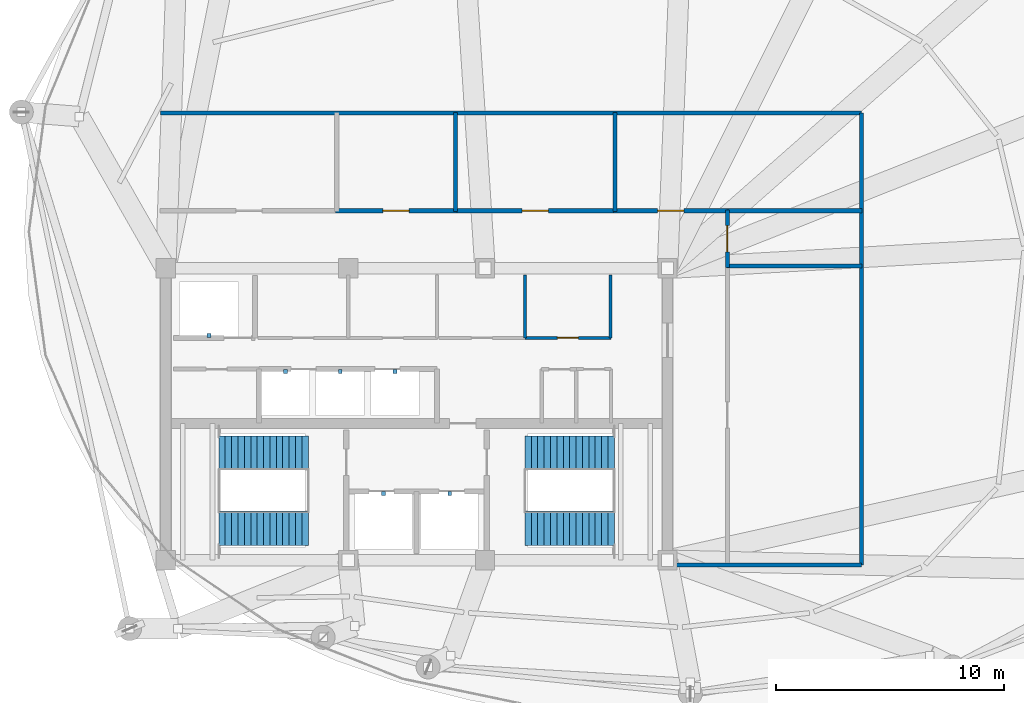
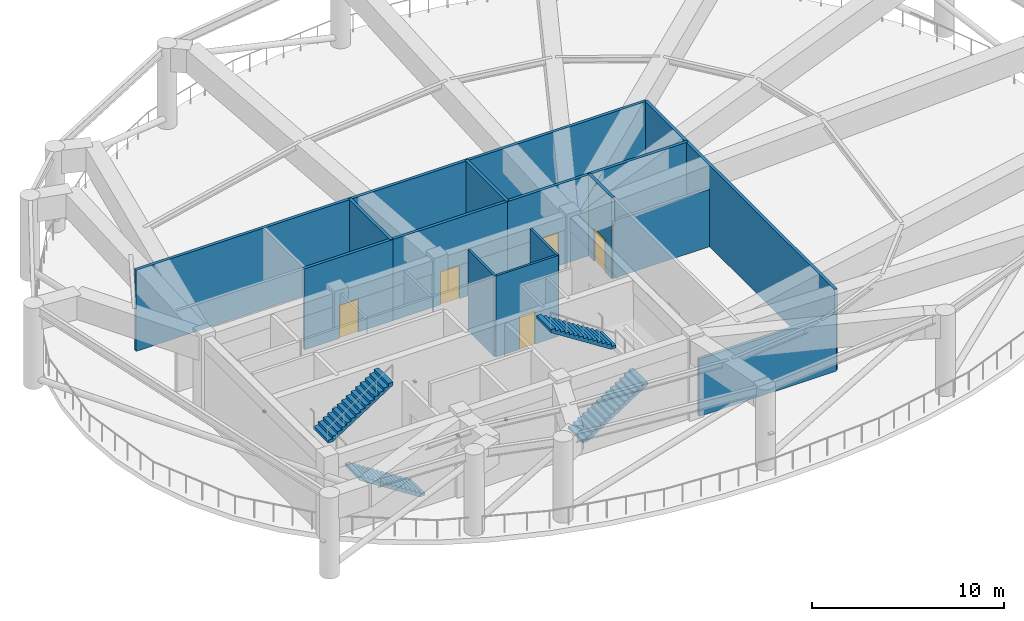
# One storey, part 7 of 9: 14 walls, 6 discrete accessories, 5 doors, 4 stair flights, 5 openings, 2 elements without a shape of their own.
"""IFC4 building model written with IfcOpenShell, lengths in metres."""

from ifc_helpers import new_model, si_unit, direction, frame, frame_2d, origin, origin_2d, place, context, subcontext, project, spatial, polyline, rectangle, outline, extrude, material, layer, layer_set, type_object, element, fill, aggregate, save


model = new_model("IFC4")

# Units and contexts
model_context = context("Model", 3, precision=1e-05, world=origin(), true_north=direction((0.0, 1.0)))
body_context = subcontext(model_context, "Body", "Model", "MODEL_VIEW")
ifc_project = project(units=[si_unit("LENGTHUNIT", "METRE"), si_unit("AREAUNIT", "SQUARE_METRE"), si_unit("VOLUMEUNIT", "CUBIC_METRE"), si_unit("PLANEANGLEUNIT", "RADIAN"), si_unit("MASSUNIT", "GRAM", prefix="KILO")], contexts=[model_context])

# Site, building, storey
site_placement = place(None, origin())
site = spatial("IfcSite", under=ifc_project, at=site_placement, CompositionType="ELEMENT")
building_placement = place(site_placement, origin())
building = spatial("IfcBuilding", under=site, at=building_placement, Name="Kazevale Care Tower and Concert Hall", CompositionType="ELEMENT")
storey_placement = place(building_placement, frame((0.0, 0.0, 253.199951171875)))
storey = spatial("IfcBuildingStorey", under=building, at=storey_placement, Name="L67", CompositionType="ELEMENT", Elevation=253.199951171875)

# Wall, opening, door
ifc_material_1 = material(Name="Acoustic Gypsum on Steel Stud", Category="steel")
ifc_layer_1 = layer(ifc_material_1, 0.139892578125)
ifc_layer_set_1 = layer_set([ifc_layer_1], Name="Acoustic Gypsum on Steel Stud")
wall_type_1 = type_object("IfcWallType", Name="Acoustic Care & Suite Partition 140", PredefinedType="PARTITIONING", material=ifc_layer_set_1)
wall_1_placement = place(storey_placement, frame((37.75, 33.35009765625, 0.0), z_axis=(0.0, 0.0, 1.0), x_axis=(1.0, 0.0, 0.0)))
wall_1 = element("IfcWall", 1, at=wall_1_placement, inside=storey, type_object=wall_type_1, Name="wall:L67:c_rpm2_s", PredefinedType="PARTITIONING", context=body_context, shape_type="SweptSolid", body=[
    extrude(rectangle(XDim=3.77001953125, YDim=0.139892578125, at=frame_2d((1.885009765625, 0.0))), origin(), (0.0, 0.0, 1.0), 5.16015625),
])
opening_1_placement = place(wall_1_placement, frame((1.425048828125, 0.0, 0.0)))
opening_1 = element("IfcOpeningElement", 2, at=opening_1_placement, cuts=wall_1, Name="Opening ID-900", PredefinedType="OPENING", context=body_context, shape_type="SweptSolid", body=[
    extrude(rectangle(XDim=0.919921875, YDim=2.10009765625, at=frame_2d((0.4599609375, 1.050048828125))), frame((0.0, 0.079833984375, 0.0), z_axis=(0.0, -1.0, 0.0), x_axis=(1.0, 0.0, 0.0)), (0.0, 0.0, 1.0), 0.159912109375),
])
ifc_material_2 = material(Name="Oak Timber Fire Leaf", Category="wood")
door_type_1 = type_object("IfcDoorType", Name="Bathroom & Service Door 920x2100", OperationType="NOTDEFINED", PredefinedType="DOOR", material=ifc_material_2)
door_1_placement = place(opening_1_placement, origin())
door_1 = element("IfcDoor", 3, at=door_1_placement, inside=storey, type_object=door_type_1, Name="door:L67:d_rpm2", OperationType="SINGLE_SWING_RIGHT", OverallHeight=2.10009765625, OverallWidth=0.919921875, PredefinedType="DOOR", context=body_context, shape_type="SweptSolid", body=[
    extrude(rectangle(XDim=0.919921875, YDim=2.10009765625, at=frame_2d((0.4599609375, 1.050048828125))), frame((0.0, 0.02490234375, 0.0), z_axis=(0.0, -1.0, 0.0), x_axis=(1.0, 0.0, 0.0)), (0.0, 0.0, 1.0), 0.050048828125),
])
fill(opening_1, door_1)

# Walls
for number, where, z_axis, x_axis, name in (
    (4, (37.75, 33.35009765625, 0.0), (0.0, 0.0, 1.0), (0.0, 1.0, 0.0), "wall:L67:c_rpm_m"),
    (5, (41.5, 33.35009765625, 0.0), (0.0, 0.0, 1.0), (0.0, 1.0, 0.0), "wall:L67:c_rpm_e"),
):
    element("IfcWall", number, at=place(storey_placement, frame(where, z_axis=z_axis, x_axis=x_axis)), inside=storey, type_object=wall_type_1, Name=name, PredefinedType="PARTITIONING", context=body_context, shape_type="SweptSolid", body=[
        extrude(rectangle(XDim=2.75, YDim=0.139892578125, at=frame_2d((1.375, 0.0))), origin(), (0.0, 0.0, 1.0), 5.16015625),
    ])
ifc_material_3 = material(Name="Concrete C40 and Acoustic Gypsum", Category="concrete")
ifc_layer_2 = layer(ifc_material_3, 0.179931640625)
ifc_layer_set_2 = layer_set([ifc_layer_2], Name="Concrete C40 and Acoustic Gypsum")
wall_type_2 = type_object("IfcWallType", Name="Fire-Rated Corridor & Party Wall 180", PredefinedType="PARTITIONING", material=ifc_layer_set_2)
wall_2_placement = place(storey_placement, frame((21.77490234375, 43.199951171875, 0.0), z_axis=(0.0, 0.0, 1.0), x_axis=(1.0, 0.0, 0.0)))
element("IfcWall", 6, at=wall_2_placement, inside=storey, type_object=wall_type_2, Name="wall:L67:wf_enc_n", PredefinedType="PARTITIONING", context=body_context, shape_type="SweptSolid", body=[
    extrude(rectangle(XDim=30.72509765625, YDim=0.179931640625, at=frame_2d((15.362548828125, 0.0))), origin(), (0.0, 0.0, 1.0), 5.16015625),
])
wall_3_placement = place(storey_placement, frame((44.22509765625, 23.39990234375, 0.0), z_axis=(0.0, 0.0, 1.0), x_axis=(1.0, 0.0, 0.0)))
element("IfcWall", 7, at=wall_3_placement, inside=storey, type_object=wall_type_2, Name="wall:L67:wf_enc_s", PredefinedType="PARTITIONING", context=body_context, shape_type="SweptSolid", body=[
    extrude(rectangle(XDim=8.27490234375, YDim=0.179931640625, at=frame_2d((4.137451171875, 0.0))), origin(), (0.0, 0.0, 1.0), 3.650146484375),
])
wall_4_placement = place(storey_placement, frame((52.5, 23.39990234375, 0.0), z_axis=(0.0, 0.0, 1.0), x_axis=(0.0, 1.0, 0.0)))
element("IfcWall", 8, at=wall_4_placement, inside=storey, type_object=wall_type_2, Name="wall:L67:wf_enc_e", PredefinedType="PARTITIONING", context=body_context, shape_type="SweptSolid", body=[
    extrude(rectangle(XDim=19.800048828125, YDim=0.179931640625, at=frame_2d((9.89990234375, 0.0))), origin(), (0.0, 0.0, 1.0), 5.16015625),
])

# Wall, opening, door
wall_5_placement = place(storey_placement, frame((29.43505859375, 38.925048828125, 0.0), z_axis=(0.0, 0.0, 1.0), x_axis=(1.0, 0.0, 0.0)))
wall_5 = element("IfcWall", 9, at=wall_5_placement, inside=storey, type_object=wall_type_2, Name="wall:L67:auto_003", PredefinedType="PARTITIONING", context=body_context, shape_type="SweptSolid", body=[
    extrude(rectangle(XDim=5.329833984375, YDim=0.179931640625, at=frame_2d((2.6650390625, 0.0))), origin(), (0.0, 0.0, 1.0), 5.16015625),
])
opening_2_placement = place(wall_5_placement, frame((2.090087890625, 0.0, 0.0)))
opening_2 = element("IfcOpeningElement", 10, at=opening_2_placement, cuts=wall_5, Name="Opening FD-90", PredefinedType="OPENING", context=body_context, shape_type="SweptSolid", body=[
    extrude(rectangle(XDim=1.14990234375, YDim=2.10009765625, at=frame_2d((0.574951171875, 1.050048828125))), frame((0.0, 0.099853515625, 0.0), z_axis=(0.0, -1.0, 0.0), x_axis=(1.0, 0.0, 0.0)), (0.0, 0.0, 1.0), 0.199951171875),
])
ifc_material_4 = material(Name="Steel ASTM A572 Gr 50", Category="steel")
door_type_2 = type_object("IfcDoorType", Name="Pressurized Stair & Lobby Fire Door 1150x2100", OperationType="NOTDEFINED", PredefinedType="DOOR", material=ifc_material_4)
door_2_placement = place(opening_2_placement, origin())
door_2 = element("IfcDoor", 11, at=door_2_placement, inside=storey, type_object=door_type_2, Name="door:L67:ad_003", OperationType="SINGLE_SWING_LEFT", OverallHeight=2.10009765625, OverallWidth=1.14990234375, PredefinedType="DOOR", context=body_context, shape_type="SweptSolid", body=[
    extrude(rectangle(XDim=1.14990234375, YDim=2.10009765625, at=frame_2d((0.574951171875, 1.050048828125))), frame((0.0, 0.02490234375, 0.0), z_axis=(0.0, -1.0, 0.0), x_axis=(1.0, 0.0, 0.0)), (0.0, 0.0, 1.0), 0.050048828125),
])
fill(opening_2, door_2)

wall_6_placement = place(storey_placement, frame((34.635009765625, 38.925048828125, 0.0), z_axis=(0.0, 0.0, 1.0), x_axis=(1.0, 0.0, 0.0)))
wall_6 = element("IfcWall", 12, at=wall_6_placement, inside=storey, type_object=wall_type_2, Name="wall:L67:auto_004", PredefinedType="PARTITIONING", context=body_context, shape_type="SweptSolid", body=[
    extrude(rectangle(XDim=7.1298828125, YDim=0.179931640625, at=frame_2d((3.56494140625, 0.0))), origin(), (0.0, 0.0, 1.0), 5.16015625),
])
opening_3_placement = place(wall_6_placement, frame((2.989990234375, 0.0, 0.0)))
opening_3 = element("IfcOpeningElement", 13, at=opening_3_placement, cuts=wall_6, Name="Opening FD-90", PredefinedType="OPENING", context=body_context, shape_type="SweptSolid", body=[
    extrude(rectangle(XDim=1.14990234375, YDim=2.10009765625, at=frame_2d((0.574951171875, 1.050048828125))), frame((0.0, 0.099853515625, 0.0), z_axis=(0.0, -1.0, 0.0), x_axis=(1.0, 0.0, 0.0)), (0.0, 0.0, 1.0), 0.199951171875),
])
door_3_placement = place(opening_3_placement, origin())
door_3 = element("IfcDoor", 14, at=door_3_placement, inside=storey, type_object=door_type_2, Name="door:L67:ad_004", OperationType="SINGLE_SWING_LEFT", OverallHeight=2.10009765625, OverallWidth=1.14990234375, PredefinedType="DOOR", context=body_context, shape_type="SweptSolid", body=[
    extrude(rectangle(XDim=1.14990234375, YDim=2.10009765625, at=frame_2d((0.574951171875, 1.050048828125))), frame((0.0, 0.02490234375, 0.0), z_axis=(0.0, -1.0, 0.0), x_axis=(1.0, 0.0, 0.0)), (0.0, 0.0, 1.0), 0.050048828125),
])
fill(opening_3, door_3)

wall_7_placement = place(storey_placement, frame((41.635009765625, 38.925048828125, 0.0), z_axis=(0.0, 0.0, 1.0), x_axis=(1.0, 0.0, 0.0)))
wall_7 = element("IfcWall", 15, at=wall_7_placement, inside=storey, type_object=wall_type_2, Name="wall:L67:auto_005", PredefinedType="PARTITIONING", context=body_context, shape_type="SweptSolid", body=[
    extrude(rectangle(XDim=5.02001953125, YDim=0.179931640625, at=frame_2d((2.510009765625, 0.0))), origin(), (0.0, 0.0, 1.0), 5.16015625),
])
opening_4_placement = place(wall_7_placement, frame((1.93505859375, 0.0, 0.0)))
opening_4 = element("IfcOpeningElement", 16, at=opening_4_placement, cuts=wall_7, Name="Opening FD-90", PredefinedType="OPENING", context=body_context, shape_type="SweptSolid", body=[
    extrude(rectangle(XDim=1.14990234375, YDim=2.10009765625, at=frame_2d((0.574951171875, 1.050048828125))), frame((0.0, 0.099853515625, 0.0), z_axis=(0.0, -1.0, 0.0), x_axis=(1.0, 0.0, 0.0)), (0.0, 0.0, 1.0), 0.199951171875),
])
door_4_placement = place(opening_4_placement, origin())
door_4 = element("IfcDoor", 17, at=door_4_placement, inside=storey, type_object=door_type_2, Name="door:L67:ad_005", OperationType="SINGLE_SWING_LEFT", OverallHeight=2.10009765625, OverallWidth=1.14990234375, PredefinedType="DOOR", context=body_context, shape_type="SweptSolid", body=[
    extrude(rectangle(XDim=1.14990234375, YDim=2.10009765625, at=frame_2d((0.574951171875, 1.050048828125))), frame((0.0, 0.02490234375, 0.0), z_axis=(0.0, -1.0, 0.0), x_axis=(1.0, 0.0, 0.0)), (0.0, 0.0, 1.0), 0.050048828125),
])
fill(opening_4, door_4)

wall_8_placement = place(storey_placement, frame((46.625, 38.955078125, 0.0), z_axis=(0.0, 0.0, 1.0), x_axis=(0.0, -1.0, 0.0)))
wall_8 = element("IfcWall", 18, at=wall_8_placement, inside=storey, type_object=wall_type_2, Name="wall:L67:auto_006", PredefinedType="PARTITIONING", context=body_context, shape_type="SweptSolid", body=[
    extrude(rectangle(XDim=2.52001953125, YDim=0.179931640625, at=frame_2d((1.260009765625, 0.0))), origin(), (0.0, 0.0, 1.0), 5.16015625),
])
opening_5_placement = place(wall_8_placement, frame((0.68505859375, 0.0, 0.0)))
opening_5 = element("IfcOpeningElement", 19, at=opening_5_placement, cuts=wall_8, Name="Opening FD-90", PredefinedType="OPENING", context=body_context, shape_type="SweptSolid", body=[
    extrude(rectangle(XDim=1.14990234375, YDim=2.10009765625, at=frame_2d((0.574951171875, 1.050048828125))), frame((0.0, 0.099853515625, 0.0), z_axis=(0.0, -1.0, 0.0), x_axis=(1.0, 0.0, 0.0)), (0.0, 0.0, 1.0), 0.199951171875),
])
door_5_placement = place(opening_5_placement, origin())
door_5 = element("IfcDoor", 20, at=door_5_placement, inside=storey, type_object=door_type_2, Name="door:L67:ad_006", OperationType="SINGLE_SWING_LEFT", OverallHeight=2.10009765625, OverallWidth=1.14990234375, PredefinedType="DOOR", context=body_context, shape_type="SweptSolid", body=[
    extrude(rectangle(XDim=1.14990234375, YDim=2.10009765625, at=frame_2d((0.574951171875, 1.050048828125))), frame((0.0, 0.02490234375, 0.0), z_axis=(0.0, -1.0, 0.0), x_axis=(1.0, 0.0, 0.0)), (0.0, 0.0, 1.0), 0.050048828125),
])
fill(opening_5, door_5)

# Walls
wall_9_placement = place(storey_placement, frame((46.594970703125, 36.5, 0.0), z_axis=(0.0, 0.0, 1.0), x_axis=(1.0, 0.0, 0.0)))
element("IfcWall", 21, at=wall_9_placement, inside=storey, type_object=wall_type_2, Name="wall:L67:auto_008", PredefinedType="PARTITIONING", context=body_context, shape_type="SweptSolid", body=[
    extrude(rectangle(XDim=5.93505859375, YDim=0.179931640625, at=frame_2d((2.967529296875, 0.0))), origin(), (0.0, 0.0, 1.0), 3.650146484375),
])
for number, where, z_axis, x_axis, name in (
    (22, (34.699951171875, 43.22998046875, 0.0), (0.0, 0.0, 1.0), (0.0, -1.0, 0.0), "wall:L67:auto_009"),
    (23, (41.699951171875, 43.22998046875, 0.0), (0.0, 0.0, 1.0), (0.0, -1.0, 0.0), "wall:L67:auto_010"),
):
    element("IfcWall", number, at=place(storey_placement, frame(where, z_axis=z_axis, x_axis=x_axis)), inside=storey, type_object=wall_type_2, Name=name, PredefinedType="PARTITIONING", context=body_context, shape_type="SweptSolid", body=[
        extrude(rectangle(XDim=4.3349609375, YDim=0.179931640625, at=frame_2d((2.16748046875, 0.0))), origin(), (0.0, 0.0, 1.0), 5.16015625),
    ])
wall_10_placement = place(storey_placement, frame((52.530029296875, 38.925048828125, 0.0), z_axis=(0.0, 0.0, 1.0), x_axis=(-1.0, 0.0, 0.0)))
element("IfcWall", 24, at=wall_10_placement, inside=storey, type_object=wall_type_2, Name="wall:L67:auto_011", PredefinedType="PARTITIONING", context=body_context, shape_type="SweptSolid", body=[
    extrude(rectangle(XDim=5.969970703125, YDim=0.179931640625, at=frame_2d((2.98486328125, 0.0))), origin(), (0.0, 0.0, 1.0), 5.16015625),
])

# Stair, stair flights
ifc_material_5 = material(Name="Concrete C40", Category="concrete")
stair_type = type_object("IfcStairType", Name="Exit Stair Assembly ST1-W", PredefinedType="HALF_TURN_STAIR", material=ifc_material_5)
stair_1_placement = place(storey_placement, origin())
stair_1 = element("IfcStair", 25, at=stair_1_placement, inside=storey, type_object=stair_type, Name="stair:L67:ST1", PredefinedType="HALF_TURN_STAIR")
ifc_layer_3 = layer(ifc_material_5, 0.159912109375)
ifc_layer_set_3 = layer_set([ifc_layer_3], Name="Concrete C40")
stair_flight_type = type_object("IfcStairFlightType", Name="Exit Stair Flight ST1-W", PredefinedType="STRAIGHT", material=ifc_layer_set_3)
stair_flight_1_placement = place(storey_placement, frame((28.25, 25.0, 0.0), z_axis=(0.0, 0.0, 1.0), x_axis=(-1.0, 0.0, 0.0)))
stair_flight_1 = element("IfcStairFlight", 26, at=stair_flight_1_placement, type_object=stair_flight_type, Name="ST1-W flight 1", NumberOfRisers=15, NumberOfTreads=14, PredefinedType="STRAIGHT", RiserHeight=0.18, TreadLength=0.28, context=body_context, shape_type="SweptSolid", body=[
    extrude(outline(polyline([(0.0, 0.0), (0.0, 0.179931640625), (0.280029296875, 0.179931640625), (0.280029296875, 0.360107421875), (0.56005859375, 0.360107421875), (0.56005859375, 0.5400390625), (0.840087890625, 0.5400390625), (0.840087890625, 0.719970703125), (1.1201171875, 0.719970703125), (1.1201171875, 0.89990234375), (1.39990234375, 0.89990234375), (1.39990234375, 1.080078125), (1.679931640625, 1.080078125), (1.679931640625, 1.260009765625), (1.9599609375, 1.260009765625), (1.9599609375, 1.43994140625), (2.239990234375, 1.43994140625), (2.239990234375, 1.6201171875), (2.52001953125, 1.6201171875), (2.52001953125, 1.800048828125), (2.800048828125, 1.800048828125), (2.800048828125, 1.97998046875), (3.080078125, 1.97998046875), (3.080078125, 2.159912109375), (3.360107421875, 2.159912109375), (3.360107421875, 2.340087890625), (3.639892578125, 2.340087890625), (3.639892578125, 2.52001953125), (3.919921875, 2.52001953125), (3.919921875, 2.699951171875), (3.919921875, 2.329833984375), (0.295654296875, 0.0), (0.0, 0.0)])), frame((0.0, 0.75, 0.0), z_axis=(0.0, -1.0, 0.0), x_axis=(1.0, 0.0, 0.0)), (0.0, 0.0, 1.0), 1.5),
])
stair_flight_2_placement = place(storey_placement, frame((24.330078125, 28.300048828125, 2.699951171875), z_axis=(0.0, 0.0, 1.0), x_axis=(1.0, 0.0, 0.0)))
stair_flight_2 = element("IfcStairFlight", 27, at=stair_flight_2_placement, type_object=stair_flight_type, Name="ST1-W flight 2", NumberOfRisers=15, NumberOfTreads=14, PredefinedType="STRAIGHT", RiserHeight=0.18, TreadLength=0.28, context=body_context, shape_type="SweptSolid", body=[
    extrude(outline(polyline([(0.0, 0.0), (0.0, 0.179931640625), (0.280029296875, 0.179931640625), (0.280029296875, 0.360107421875), (0.56005859375, 0.360107421875), (0.56005859375, 0.5400390625), (0.840087890625, 0.5400390625), (0.840087890625, 0.719970703125), (1.1201171875, 0.719970703125), (1.1201171875, 0.89990234375), (1.39990234375, 0.89990234375), (1.39990234375, 1.080078125), (1.679931640625, 1.080078125), (1.679931640625, 1.260009765625), (1.9599609375, 1.260009765625), (1.9599609375, 1.43994140625), (2.239990234375, 1.43994140625), (2.239990234375, 1.6201171875), (2.52001953125, 1.6201171875), (2.52001953125, 1.800048828125), (2.800048828125, 1.800048828125), (2.800048828125, 1.97998046875), (3.080078125, 1.97998046875), (3.080078125, 2.159912109375), (3.360107421875, 2.159912109375), (3.360107421875, 2.340087890625), (3.639892578125, 2.340087890625), (3.639892578125, 2.52001953125), (3.919921875, 2.52001953125), (3.919921875, 2.699951171875), (3.919921875, 2.329833984375), (0.295654296875, 0.0), (0.0, 0.0)])), frame((0.0, 0.75, 0.0), z_axis=(0.0, -1.0, 0.0), x_axis=(1.0, 0.0, 0.0)), (0.0, 0.0, 1.0), 1.5),
])
aggregate(stair_1, [stair_flight_1, stair_flight_2])

stair_2_placement = place(storey_placement, origin())
stair_2 = element("IfcStair", 28, at=stair_2_placement, inside=storey, type_object=stair_type, Name="stair:L67:ST2", PredefinedType="HALF_TURN_STAIR")
stair_flight_3_placement = place(storey_placement, frame((37.75, 25.0, 0.0), z_axis=(0.0, 0.0, 1.0), x_axis=(1.0, 0.0, 0.0)))
stair_flight_3 = element("IfcStairFlight", 29, at=stair_flight_3_placement, type_object=stair_flight_type, Name="ST1-W flight 1", NumberOfRisers=15, NumberOfTreads=14, PredefinedType="STRAIGHT", RiserHeight=0.18, TreadLength=0.28, context=body_context, shape_type="SweptSolid", body=[
    extrude(outline(polyline([(0.0, 0.0), (0.0, 0.179931640625), (0.280029296875, 0.179931640625), (0.280029296875, 0.360107421875), (0.56005859375, 0.360107421875), (0.56005859375, 0.5400390625), (0.840087890625, 0.5400390625), (0.840087890625, 0.719970703125), (1.1201171875, 0.719970703125), (1.1201171875, 0.89990234375), (1.39990234375, 0.89990234375), (1.39990234375, 1.080078125), (1.679931640625, 1.080078125), (1.679931640625, 1.260009765625), (1.9599609375, 1.260009765625), (1.9599609375, 1.43994140625), (2.239990234375, 1.43994140625), (2.239990234375, 1.6201171875), (2.52001953125, 1.6201171875), (2.52001953125, 1.800048828125), (2.800048828125, 1.800048828125), (2.800048828125, 1.97998046875), (3.080078125, 1.97998046875), (3.080078125, 2.159912109375), (3.360107421875, 2.159912109375), (3.360107421875, 2.340087890625), (3.639892578125, 2.340087890625), (3.639892578125, 2.52001953125), (3.919921875, 2.52001953125), (3.919921875, 2.699951171875), (3.919921875, 2.329833984375), (0.295654296875, 0.0), (0.0, 0.0)])), frame((0.0, 0.75, 0.0), z_axis=(0.0, -1.0, 0.0), x_axis=(1.0, 0.0, 0.0)), (0.0, 0.0, 1.0), 1.5),
])
stair_flight_4_placement = place(storey_placement, frame((41.669921875, 28.300048828125, 2.699951171875), z_axis=(0.0, 0.0, 1.0), x_axis=(-1.0, 0.0, 0.0)))
stair_flight_4 = element("IfcStairFlight", 30, at=stair_flight_4_placement, type_object=stair_flight_type, Name="ST1-W flight 2", NumberOfRisers=15, NumberOfTreads=14, PredefinedType="STRAIGHT", RiserHeight=0.18, TreadLength=0.28, context=body_context, shape_type="SweptSolid", body=[
    extrude(outline(polyline([(0.0, 0.0), (0.0, 0.179931640625), (0.280029296875, 0.179931640625), (0.280029296875, 0.360107421875), (0.56005859375, 0.360107421875), (0.56005859375, 0.5400390625), (0.840087890625, 0.5400390625), (0.840087890625, 0.719970703125), (1.1201171875, 0.719970703125), (1.1201171875, 0.89990234375), (1.39990234375, 0.89990234375), (1.39990234375, 1.080078125), (1.679931640625, 1.080078125), (1.679931640625, 1.260009765625), (1.9599609375, 1.260009765625), (1.9599609375, 1.43994140625), (2.239990234375, 1.43994140625), (2.239990234375, 1.6201171875), (2.52001953125, 1.6201171875), (2.52001953125, 1.800048828125), (2.800048828125, 1.800048828125), (2.800048828125, 1.97998046875), (3.080078125, 1.97998046875), (3.080078125, 2.159912109375), (3.360107421875, 2.159912109375), (3.360107421875, 2.340087890625), (3.639892578125, 2.340087890625), (3.639892578125, 2.52001953125), (3.919921875, 2.52001953125), (3.919921875, 2.699951171875), (3.919921875, 2.329833984375), (0.295654296875, 0.0), (0.0, 0.0)])), frame((0.0, 0.75, 0.0), z_axis=(0.0, -1.0, 0.0), x_axis=(1.0, 0.0, 0.0)), (0.0, 0.0, 1.0), 1.5),
])
aggregate(stair_2, [stair_flight_3, stair_flight_4])

# Discrete accessories
ifc_material_6 = material(Name="Stainless Steel 316", Category="steel")
discrete_accessory_type = type_object("IfcDiscreteAccessoryType", Name="Hoistway Guide-Rail Wall Bracket HBRK-1", PredefinedType="BRACKET", material=ifc_material_6)
for number, where, z_axis, x_axis, name in (
    (31, (31.550048828125, 26.52001953125, 1.239990234375), (0.0, 0.0, 1.0), (1.0, 0.0, 0.0), "hbrk:FFL-1:L67"),
    (32, (34.449951171875, 26.52001953125, 1.239990234375), (0.0, 0.0, 1.0), (1.0, 0.0, 0.0), "hbrk:FFL-2:L67"),
    (33, (23.89990234375, 33.449951171875, 1.239990234375), (0.0, 0.0, 1.0), (1.0, 0.0, 0.0), "hbrk:SVL-1:L67"),
    (34, (27.25, 31.8798828125, 1.239990234375), (0.0, 0.0, 1.0), (1.0, 0.0, 0.0), "hbrk:PH-1:L67"),
    (35, (29.64990234375, 31.8798828125, 1.239990234375), (0.0, 0.0, 1.0), (1.0, 0.0, 0.0), "hbrk:PH-2:L67"),
    (36, (32.050048828125, 31.8798828125, 1.239990234375), (0.0, 0.0, 1.0), (1.0, 0.0, 0.0), "hbrk:PH-3:L67"),
):
    element("IfcDiscreteAccessory", number, at=place(storey_placement, frame(where, z_axis=z_axis, x_axis=x_axis)), inside=storey, type_object=discrete_accessory_type, Name=name, PredefinedType="BRACKET", context=body_context, shape_type="SweptSolid", body=[
        extrude(rectangle(XDim=0.159912109375, YDim=0.179931640625, at=origin_2d()), origin(), (0.0, 0.0, 1.0), 0.1201171875),
    ])

save(model, "model.ifc")
